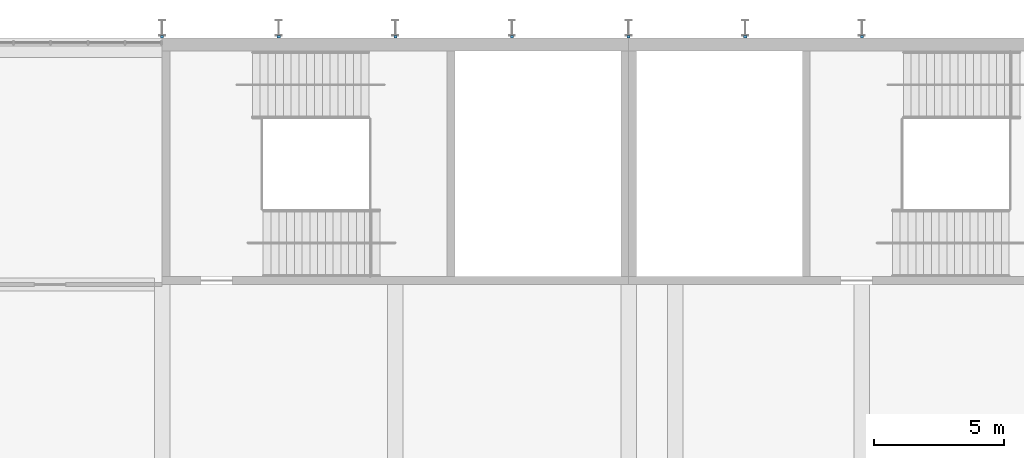
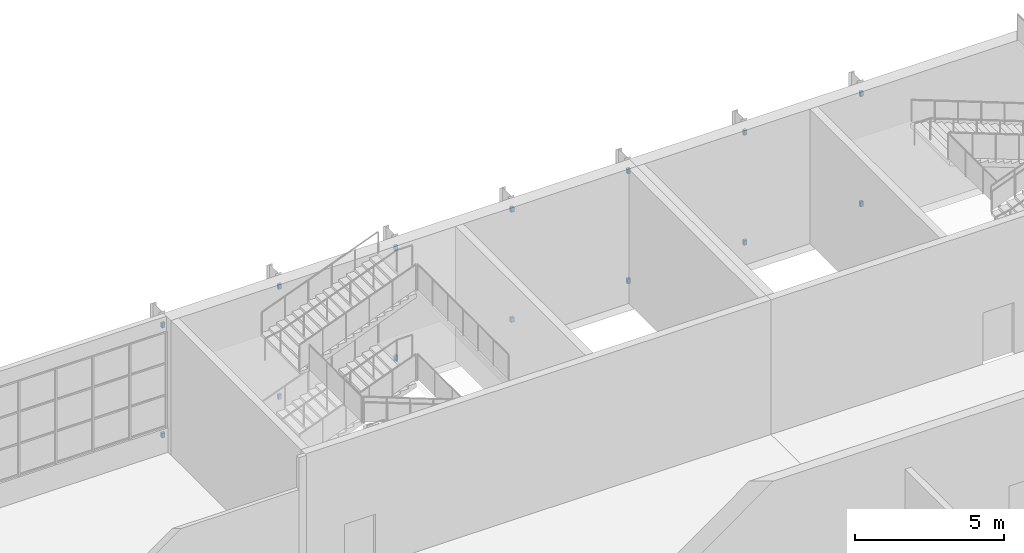
# One storey, part 55 of 84: 14 discrete accessories.
"""IFC4 building model written with IfcOpenShell, lengths in metres."""

from ifc_helpers import new_model, si_unit, direction, frame, origin, origin_2d, place, context, subcontext, project, spatial, rectangle, extrude, material, type_object, element, save


model = new_model("IFC4")

# Units and contexts
model_context = context("Model", 3, precision=1e-05, world=origin(), true_north=direction((0.0, 1.0)))
body_context = subcontext(model_context, "Body", "Model", "MODEL_VIEW")
ifc_project = project(units=[si_unit("LENGTHUNIT", "METRE"), si_unit("AREAUNIT", "SQUARE_METRE"), si_unit("VOLUMEUNIT", "CUBIC_METRE"), si_unit("PLANEANGLEUNIT", "RADIAN"), si_unit("MASSUNIT", "GRAM", prefix="KILO")], contexts=[model_context])

# Site, building, storey
site_placement = place(None, origin())
site = spatial("IfcSite", under=ifc_project, at=site_placement, CompositionType="ELEMENT")
building_placement = place(site_placement, origin())
building = spatial("IfcBuilding", under=site, at=building_placement, Name="Silverbay Arena", CompositionType="ELEMENT")
storey_placement = place(building_placement, frame((0.0, 0.0, 28.0)))
storey = spatial("IfcBuildingStorey", under=building, at=storey_placement, Name="L04", CompositionType="ELEMENT", Elevation=28.0)

# Discrete accessories
ifc_material = material(Name="Steel S355", Category="steel")
discrete_accessory_type = type_object("IfcDiscreteAccessoryType", Name="Steel bracket plate", PredefinedType="BRACKET", material=ifc_material)
for number, where, z_axis, x_axis, name in (
    (1, (144.0, 144.550048828125, 0.39990234375), (0.0, 0.0, 1.0), (1.0, 0.0, 0.0), "Fin bracket"),
    (2, (144.0, 144.550048828125, 4.89990234375), (0.0, 0.0, 1.0), (1.0, 0.0, 0.0), "Fin bracket"),
    (3, (148.5, 144.550048828125, 0.39990234375), (0.0, 0.0, 1.0), (1.0, 0.0, 0.0), "Fin bracket"),
    (4, (148.5, 144.550048828125, 4.89990234375), (0.0, 0.0, 1.0), (1.0, 0.0, 0.0), "Fin bracket"),
    (5, (153.0, 144.550048828125, 0.39990234375), (0.0, 0.0, 1.0), (1.0, 0.0, 0.0), "Fin bracket"),
    (6, (153.0, 144.550048828125, 4.89990234375), (0.0, 0.0, 1.0), (1.0, 0.0, 0.0), "Fin bracket"),
    (7, (157.5, 144.550048828125, 0.39990234375), (0.0, 0.0, 1.0), (1.0, 0.0, 0.0), "Fin bracket"),
    (8, (157.5, 144.550048828125, 4.89990234375), (0.0, 0.0, 1.0), (1.0, 0.0, 0.0), "Fin bracket"),
    (9, (162.0, 144.550048828125, 0.39990234375), (0.0, 0.0, 1.0), (1.0, 0.0, 0.0), "Fin bracket"),
    (10, (162.0, 144.550048828125, 4.89990234375), (0.0, 0.0, 1.0), (1.0, 0.0, 0.0), "Fin bracket"),
    (11, (166.5, 144.550048828125, 0.39990234375), (0.0, 0.0, 1.0), (1.0, 0.0, 0.0), "Fin bracket"),
    (12, (166.5, 144.550048828125, 4.89990234375), (0.0, 0.0, 1.0), (1.0, 0.0, 0.0), "Fin bracket"),
    (13, (171.0, 144.550048828125, 0.39990234375), (0.0, 0.0, 1.0), (1.0, 0.0, 0.0), "Fin bracket"),
    (14, (171.0, 144.550048828125, 4.89990234375), (0.0, 0.0, 1.0), (1.0, 0.0, 0.0), "Fin bracket"),
):
    element("IfcDiscreteAccessory", number, at=place(storey_placement, frame(where, z_axis=z_axis, x_axis=x_axis)), inside=storey, type_object=discrete_accessory_type, Name=name, PredefinedType="BRACKET", context=body_context, shape_type="SweptSolid", body=[
        extrude(rectangle(XDim=0.1201171875, YDim=0.10009765625, at=origin_2d()), origin(), (0.0, 0.0, 1.0), 0.199951171875),
    ])

save(model, "model.ifc")
